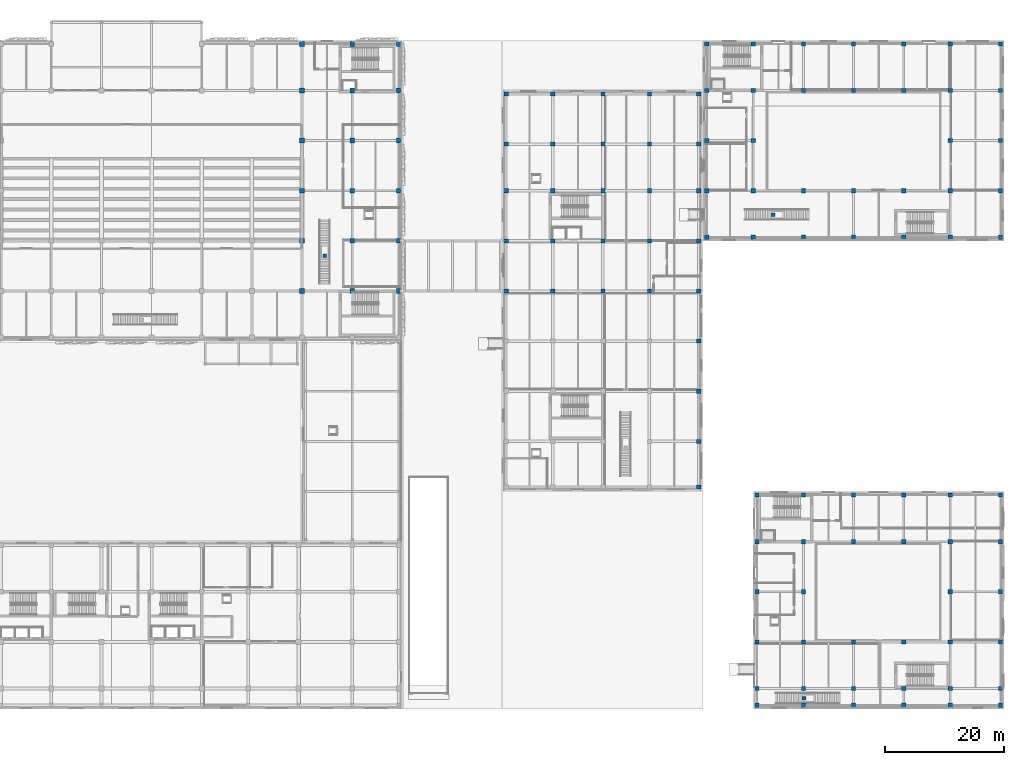
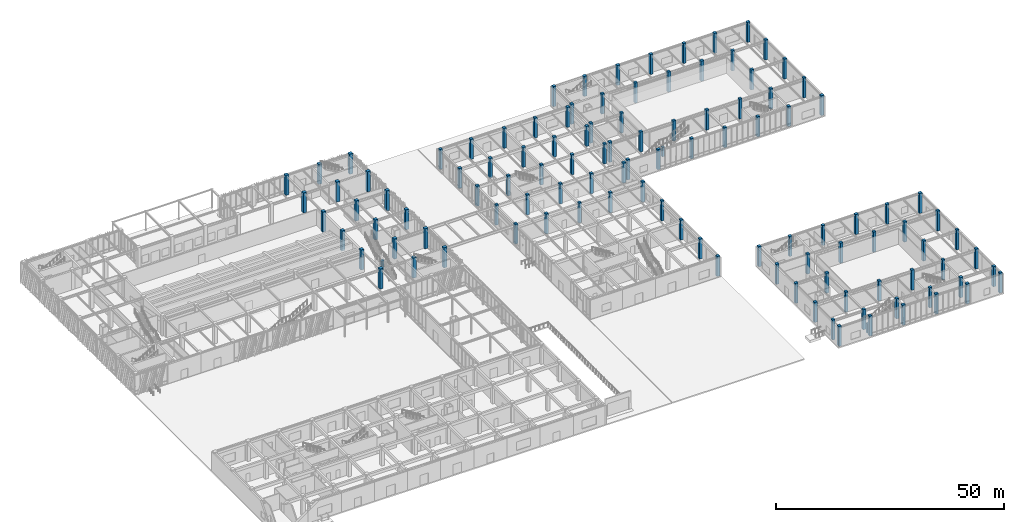
# One storey, part 7 of 122: 116 columns.
"""IFC4 building model written with IfcOpenShell, lengths in metres."""

from ifc_helpers import new_model, si_unit, direction, frame, origin, origin_2d, place, context, subcontext, project, spatial, rectangle, extrude, material, material_profile, profile_set, type_object, element, save


model = new_model("IFC4")

# Units and contexts
model_context = context("Model", 3, precision=1e-05, world=origin(), true_north=direction((0.0, 1.0)))
body_context = subcontext(model_context, "Body", "Model", "MODEL_VIEW")
ifc_project = project(units=[si_unit("LENGTHUNIT", "METRE"), si_unit("AREAUNIT", "SQUARE_METRE"), si_unit("VOLUMEUNIT", "CUBIC_METRE"), si_unit("PLANEANGLEUNIT", "RADIAN"), si_unit("MASSUNIT", "GRAM", prefix="KILO")], contexts=[model_context])

# Site, building, storey
site_placement = place(None, origin())
site = spatial("IfcSite", under=ifc_project, at=site_placement, CompositionType="ELEMENT")
building_placement = place(site_placement, origin())
building = spatial("IfcBuilding", under=site, at=building_placement, Name="Zayran Congress Hotel", CompositionType="ELEMENT")
storey_placement = place(building_placement, origin())
storey = spatial("IfcBuildingStorey", under=building, at=storey_placement, Name="L00", CompositionType="ELEMENT", Elevation=0.0)

# Columns
ifc_material = material(Name="Concrete C40/50", Category="concrete")
ifc_material_profile_1 = material_profile(ifc_material, rectangle(XDim=0.800048828125, YDim=0.800048828125, at=origin_2d()), Name="RC 800x800")
ifc_profile_set_1 = profile_set([ifc_material_profile_1], Name="Concrete C40/50")
column_type_1 = type_object("IfcColumnType", Name="TP-CL-02", PredefinedType="COLUMN", material=ifc_profile_set_1)
for number, where, z_axis, x_axis, name in (
    (1, (75.60009765625, 76.0, 0.0), (0.0, 0.0, 1.0), (1.0, 0.0, 0.0), "COL-V1-L00-0300"),
    (2, (75.60009765625, 84.39990234375, 0.0), (0.0, 0.0, 1.0), (1.0, 0.0, 0.0), "COL-V1-L00-0301"),
    (3, (75.60009765625, 92.800048828125, 0.0), (0.0, 0.0, 1.0), (1.0, 0.0, 0.0), "COL-V1-L00-0302"),
    (4, (75.60009765625, 101.199951171875, 0.0), (0.0, 0.0, 1.0), (1.0, 0.0, 0.0), "COL-V1-L00-0303"),
    (5, (75.60009765625, 109.60009765625, 0.0), (0.0, 0.0, 1.0), (1.0, 0.0, 0.0), "COL-V1-L00-0304"),
    (6, (75.60009765625, 117.39990234375, 0.0), (0.0, 0.0, 1.0), (1.0, 0.0, 0.0), "COL-V1-L00-0305"),
    (7, (84.0, 76.0, 0.0), (0.0, 0.0, 1.0), (1.0, 0.0, 0.0), "COL-V1-L00-0307"),
    (8, (84.0, 84.39990234375, 0.0), (0.0, 0.0, 1.0), (1.0, 0.0, 0.0), "COL-V1-L00-0308"),
    (9, (84.0, 92.800048828125, 0.0), (0.0, 0.0, 1.0), (1.0, 0.0, 0.0), "COL-V1-L00-0309"),
    (10, (84.0, 101.199951171875, 0.0), (0.0, 0.0, 1.0), (1.0, 0.0, 0.0), "COL-V1-L00-0310"),
    (11, (84.0, 109.60009765625, 0.0), (0.0, 0.0, 1.0), (1.0, 0.0, 0.0), "COL-V1-L00-0311"),
    (12, (84.0, 117.39990234375, 0.0), (0.0, 0.0, 1.0), (1.0, 0.0, 0.0), "COL-V1-L00-0312"),
    (13, (91.800048828125, 76.0, 0.0), (0.0, 0.0, 1.0), (1.0, 0.0, 0.0), "COL-V1-L00-0314"),
    (14, (91.800048828125, 84.39990234375, 0.0), (0.0, 0.0, 1.0), (1.0, 0.0, 0.0), "COL-V1-L00-0315"),
    (15, (91.800048828125, 92.800048828125, 0.0), (0.0, 0.0, 1.0), (1.0, 0.0, 0.0), "COL-V1-L00-0316"),
    (16, (91.800048828125, 101.199951171875, 0.0), (0.0, 0.0, 1.0), (1.0, 0.0, 0.0), "COL-V1-L00-0317"),
    (17, (91.800048828125, 109.60009765625, 0.0), (0.0, 0.0, 1.0), (1.0, 0.0, 0.0), "COL-V1-L00-0318"),
    (18, (91.800048828125, 117.39990234375, 0.0), (0.0, 0.0, 1.0), (1.0, 0.0, 0.0), "COL-V1-L00-0319"),
):
    element("IfcColumn", number, at=place(storey_placement, frame(where, z_axis=z_axis, x_axis=x_axis)), inside=storey, type_object=column_type_1, Name=name, PredefinedType="COLUMN", context=body_context, shape_type="SweptSolid", body=[
        extrude(rectangle(XDim=0.800048828125, YDim=0.800048828125, at=origin_2d()), origin(), (0.0, 0.0, 1.0), 5.39990234375),
    ])
ifc_material_profile_2 = material_profile(ifc_material, rectangle(XDim=0.699951171875, YDim=0.699951171875, at=origin_2d()), Name="RC 700x700")
ifc_profile_set_2 = profile_set([ifc_material_profile_2], Name="Concrete C40/50")
column_type_2 = type_object("IfcColumnType", Name="TP-CL-03", PredefinedType="COLUMN", material=ifc_profile_set_2)
for number, where, z_axis, x_axis, name in (
    (19, (143.39990234375, 85.0, 0.0), (0.0, 0.0, 1.0), (1.0, 0.0, 0.0), "COL-V2-L00-0521"),
    (20, (143.39990234375, 92.800048828125, 0.0), (0.0, 0.0, 1.0), (1.0, 0.0, 0.0), "COL-V2-L00-0522"),
    (21, (143.39990234375, 101.199951171875, 0.0), (0.0, 0.0, 1.0), (1.0, 0.0, 0.0), "COL-V2-L00-0523"),
    (22, (143.39990234375, 109.60009765625, 0.0), (0.0, 0.0, 1.0), (1.0, 0.0, 0.0), "COL-V2-L00-0524"),
    (23, (143.39990234375, 117.39990234375, 0.0), (0.0, 0.0, 1.0), (1.0, 0.0, 0.0), "COL-V2-L00-0525"),
    (24, (151.199951171875, 85.0, 0.0), (0.0, 0.0, 1.0), (1.0, 0.0, 0.0), "COL-V2-L00-0526"),
    (25, (151.199951171875, 92.800048828125, 0.0), (0.0, 0.0, 1.0), (1.0, 0.0, 0.0), "COL-V2-L00-0527"),
    (26, (151.199951171875, 101.199951171875, 0.0), (0.0, 0.0, 1.0), (1.0, 0.0, 0.0), "COL-V2-L00-0528"),
    (27, (151.199951171875, 109.60009765625, 0.0), (0.0, 0.0, 1.0), (1.0, 0.0, 0.0), "COL-V2-L00-0529"),
    (28, (151.199951171875, 117.39990234375, 0.0), (0.0, 0.0, 1.0), (1.0, 0.0, 0.0), "COL-V2-L00-0530"),
    (29, (159.60009765625, 85.0, 0.0), (0.0, 0.0, 1.0), (1.0, 0.0, 0.0), "COL-V2-L00-0531"),
    (30, (159.60009765625, 92.800048828125, 0.0), (0.0, 0.0, 1.0), (1.0, 0.0, 0.0), "COL-V2-L00-0532"),
    (31, (159.60009765625, 109.60009765625, 0.0), (0.0, 0.0, 1.0), (1.0, 0.0, 0.0), "COL-V2-L00-0533"),
    (32, (159.60009765625, 117.39990234375, 0.0), (0.0, 0.0, 1.0), (1.0, 0.0, 0.0), "COL-V2-L00-0534"),
    (33, (168.0, 85.0, 0.0), (0.0, 0.0, 1.0), (1.0, 0.0, 0.0), "COL-V2-L00-0535"),
    (34, (168.0, 92.800048828125, 0.0), (0.0, 0.0, 1.0), (1.0, 0.0, 0.0), "COL-V2-L00-0536"),
    (35, (168.0, 109.60009765625, 0.0), (0.0, 0.0, 1.0), (1.0, 0.0, 0.0), "COL-V2-L00-0537"),
    (36, (168.0, 117.39990234375, 0.0), (0.0, 0.0, 1.0), (1.0, 0.0, 0.0), "COL-V2-L00-0538"),
    (37, (176.39990234375, 85.0, 0.0), (0.0, 0.0, 1.0), (1.0, 0.0, 0.0), "COL-V2-L00-0539"),
    (38, (176.39990234375, 92.800048828125, 0.0), (0.0, 0.0, 1.0), (1.0, 0.0, 0.0), "COL-V2-L00-0540"),
    (39, (176.39990234375, 109.60009765625, 0.0), (0.0, 0.0, 1.0), (1.0, 0.0, 0.0), "COL-V2-L00-0541"),
    (40, (176.39990234375, 117.39990234375, 0.0), (0.0, 0.0, 1.0), (1.0, 0.0, 0.0), "COL-V2-L00-0542"),
    (41, (184.199951171875, 85.0, 0.0), (0.0, 0.0, 1.0), (1.0, 0.0, 0.0), "COL-V2-L00-0543"),
    (42, (184.199951171875, 92.800048828125, 0.0), (0.0, 0.0, 1.0), (1.0, 0.0, 0.0), "COL-V2-L00-0544"),
    (43, (184.199951171875, 101.199951171875, 0.0), (0.0, 0.0, 1.0), (1.0, 0.0, 0.0), "COL-V2-L00-0545"),
    (44, (184.199951171875, 109.60009765625, 0.0), (0.0, 0.0, 1.0), (1.0, 0.0, 0.0), "COL-V2-L00-0546"),
    (45, (184.199951171875, 117.39990234375, 0.0), (0.0, 0.0, 1.0), (1.0, 0.0, 0.0), "COL-V2-L00-0547"),
    (46, (192.60009765625, 85.0, 0.0), (0.0, 0.0, 1.0), (1.0, 0.0, 0.0), "COL-V2-L00-0548"),
    (47, (192.60009765625, 92.800048828125, 0.0), (0.0, 0.0, 1.0), (1.0, 0.0, 0.0), "COL-V2-L00-0549"),
    (48, (192.60009765625, 101.199951171875, 0.0), (0.0, 0.0, 1.0), (1.0, 0.0, 0.0), "COL-V2-L00-0550"),
    (49, (192.60009765625, 109.60009765625, 0.0), (0.0, 0.0, 1.0), (1.0, 0.0, 0.0), "COL-V2-L00-0551"),
    (50, (192.60009765625, 117.39990234375, 0.0), (0.0, 0.0, 1.0), (1.0, 0.0, 0.0), "COL-V2-L00-0552"),
    (51, (151.800048828125, 6.60009765625, 0.0), (0.0, 0.0, 1.0), (1.0, 0.0, 0.0), "COL-V3-L00-0612"),
    (52, (151.800048828125, 9.39990234375, 0.0), (0.0, 0.0, 1.0), (1.0, 0.0, 0.0), "COL-V3-L00-0613"),
    (53, (151.800048828125, 17.199951171875, 0.0), (0.0, 0.0, 1.0), (1.0, 0.0, 0.0), "COL-V3-L00-0614"),
    (54, (151.800048828125, 25.60009765625, 0.0), (0.0, 0.0, 1.0), (1.0, 0.0, 0.0), "COL-V3-L00-0615"),
    (55, (151.800048828125, 34.0, 0.0), (0.0, 0.0, 1.0), (1.0, 0.0, 0.0), "COL-V3-L00-0616"),
    (56, (151.800048828125, 41.800048828125, 0.0), (0.0, 0.0, 1.0), (1.0, 0.0, 0.0), "COL-V3-L00-0617"),
    (57, (159.60009765625, 6.60009765625, 0.0), (0.0, 0.0, 1.0), (1.0, 0.0, 0.0), "COL-V3-L00-0618"),
    (58, (159.60009765625, 9.39990234375, 0.0), (0.0, 0.0, 1.0), (1.0, 0.0, 0.0), "COL-V3-L00-0619"),
    (59, (159.60009765625, 17.199951171875, 0.0), (0.0, 0.0, 1.0), (1.0, 0.0, 0.0), "COL-V3-L00-0620"),
    (60, (159.60009765625, 25.60009765625, 0.0), (0.0, 0.0, 1.0), (1.0, 0.0, 0.0), "COL-V3-L00-0621"),
    (61, (159.60009765625, 34.0, 0.0), (0.0, 0.0, 1.0), (1.0, 0.0, 0.0), "COL-V3-L00-0622"),
    (62, (159.60009765625, 41.800048828125, 0.0), (0.0, 0.0, 1.0), (1.0, 0.0, 0.0), "COL-V3-L00-0623"),
    (63, (168.0, 6.60009765625, 0.0), (0.0, 0.0, 1.0), (1.0, 0.0, 0.0), "COL-V3-L00-0624"),
    (64, (168.0, 9.39990234375, 0.0), (0.0, 0.0, 1.0), (1.0, 0.0, 0.0), "COL-V3-L00-0625"),
    (65, (168.0, 17.199951171875, 0.0), (0.0, 0.0, 1.0), (1.0, 0.0, 0.0), "COL-V3-L00-0626"),
    (66, (168.0, 34.0, 0.0), (0.0, 0.0, 1.0), (1.0, 0.0, 0.0), "COL-V3-L00-0627"),
    (67, (168.0, 41.800048828125, 0.0), (0.0, 0.0, 1.0), (1.0, 0.0, 0.0), "COL-V3-L00-0628"),
    (68, (176.39990234375, 6.60009765625, 0.0), (0.0, 0.0, 1.0), (1.0, 0.0, 0.0), "COL-V3-L00-0629"),
    (69, (176.39990234375, 9.39990234375, 0.0), (0.0, 0.0, 1.0), (1.0, 0.0, 0.0), "COL-V3-L00-0630"),
    (70, (176.39990234375, 17.199951171875, 0.0), (0.0, 0.0, 1.0), (1.0, 0.0, 0.0), "COL-V3-L00-0631"),
    (71, (176.39990234375, 34.0, 0.0), (0.0, 0.0, 1.0), (1.0, 0.0, 0.0), "COL-V3-L00-0632"),
    (72, (176.39990234375, 41.800048828125, 0.0), (0.0, 0.0, 1.0), (1.0, 0.0, 0.0), "COL-V3-L00-0633"),
    (73, (184.199951171875, 6.60009765625, 0.0), (0.0, 0.0, 1.0), (1.0, 0.0, 0.0), "COL-V3-L00-0634"),
    (74, (184.199951171875, 9.39990234375, 0.0), (0.0, 0.0, 1.0), (1.0, 0.0, 0.0), "COL-V3-L00-0635"),
    (75, (184.199951171875, 17.199951171875, 0.0), (0.0, 0.0, 1.0), (1.0, 0.0, 0.0), "COL-V3-L00-0636"),
    (76, (184.199951171875, 25.60009765625, 0.0), (0.0, 0.0, 1.0), (1.0, 0.0, 0.0), "COL-V3-L00-0637"),
    (77, (184.199951171875, 34.0, 0.0), (0.0, 0.0, 1.0), (1.0, 0.0, 0.0), "COL-V3-L00-0638"),
    (78, (184.199951171875, 41.800048828125, 0.0), (0.0, 0.0, 1.0), (1.0, 0.0, 0.0), "COL-V3-L00-0639"),
    (79, (192.60009765625, 6.60009765625, 0.0), (0.0, 0.0, 1.0), (1.0, 0.0, 0.0), "COL-V3-L00-0640"),
    (80, (192.60009765625, 9.39990234375, 0.0), (0.0, 0.0, 1.0), (1.0, 0.0, 0.0), "COL-V3-L00-0641"),
    (81, (192.60009765625, 17.199951171875, 0.0), (0.0, 0.0, 1.0), (1.0, 0.0, 0.0), "COL-V3-L00-0642"),
    (82, (192.60009765625, 25.60009765625, 0.0), (0.0, 0.0, 1.0), (1.0, 0.0, 0.0), "COL-V3-L00-0643"),
    (83, (192.60009765625, 34.0, 0.0), (0.0, 0.0, 1.0), (1.0, 0.0, 0.0), "COL-V3-L00-0644"),
    (84, (192.60009765625, 41.800048828125, 0.0), (0.0, 0.0, 1.0), (1.0, 0.0, 0.0), "COL-V3-L00-0645"),
    (85, (109.800048828125, 76.0, 0.0), (0.0, 0.0, 1.0), (1.0, 0.0, 0.0), "COL-V4-L00-0707"),
    (86, (109.800048828125, 84.39990234375, 0.0), (0.0, 0.0, 1.0), (1.0, 0.0, 0.0), "COL-V4-L00-0708"),
    (87, (109.800048828125, 92.800048828125, 0.0), (0.0, 0.0, 1.0), (1.0, 0.0, 0.0), "COL-V4-L00-0709"),
    (88, (109.800048828125, 100.60009765625, 0.0), (0.0, 0.0, 1.0), (1.0, 0.0, 0.0), "COL-V4-L00-0710"),
    (89, (109.800048828125, 109.0, 0.0), (0.0, 0.0, 1.0), (1.0, 0.0, 0.0), "COL-V4-L00-0711"),
    (90, (117.60009765625, 76.0, 0.0), (0.0, 0.0, 1.0), (1.0, 0.0, 0.0), "COL-V4-L00-0716"),
    (91, (117.60009765625, 84.39990234375, 0.0), (0.0, 0.0, 1.0), (1.0, 0.0, 0.0), "COL-V4-L00-0717"),
    (92, (117.60009765625, 92.800048828125, 0.0), (0.0, 0.0, 1.0), (1.0, 0.0, 0.0), "COL-V4-L00-0718"),
    (93, (117.60009765625, 100.60009765625, 0.0), (0.0, 0.0, 1.0), (1.0, 0.0, 0.0), "COL-V4-L00-0719"),
    (94, (117.60009765625, 109.0, 0.0), (0.0, 0.0, 1.0), (1.0, 0.0, 0.0), "COL-V4-L00-0720"),
    (95, (126.0, 76.0, 0.0), (0.0, 0.0, 1.0), (1.0, 0.0, 0.0), "COL-V4-L00-0725"),
    (96, (126.0, 84.39990234375, 0.0), (0.0, 0.0, 1.0), (1.0, 0.0, 0.0), "COL-V4-L00-0726"),
    (97, (126.0, 92.800048828125, 0.0), (0.0, 0.0, 1.0), (1.0, 0.0, 0.0), "COL-V4-L00-0727"),
    (98, (126.0, 100.60009765625, 0.0), (0.0, 0.0, 1.0), (1.0, 0.0, 0.0), "COL-V4-L00-0728"),
    (99, (126.0, 109.0, 0.0), (0.0, 0.0, 1.0), (1.0, 0.0, 0.0), "COL-V4-L00-0729"),
    (100, (133.800048828125, 76.0, 0.0), (0.0, 0.0, 1.0), (1.0, 0.0, 0.0), "COL-V4-L00-0734"),
    (101, (133.800048828125, 84.39990234375, 0.0), (0.0, 0.0, 1.0), (1.0, 0.0, 0.0), "COL-V4-L00-0735"),
    (102, (133.800048828125, 92.800048828125, 0.0), (0.0, 0.0, 1.0), (1.0, 0.0, 0.0), "COL-V4-L00-0736"),
    (103, (133.800048828125, 100.60009765625, 0.0), (0.0, 0.0, 1.0), (1.0, 0.0, 0.0), "COL-V4-L00-0737"),
    (104, (133.800048828125, 109.0, 0.0), (0.0, 0.0, 1.0), (1.0, 0.0, 0.0), "COL-V4-L00-0738"),
    (105, (142.050048828125, 43.14990234375, 0.0), (0.0, 0.0, 1.0), (1.0, 0.0, 0.0), "COL-V4-L00-0739"),
    (106, (142.050048828125, 50.800048828125, 0.0), (0.0, 0.0, 1.0), (1.0, 0.0, 0.0), "COL-V4-L00-0740"),
    (107, (142.050048828125, 59.199951171875, 0.0), (0.0, 0.0, 1.0), (1.0, 0.0, 0.0), "COL-V4-L00-0741"),
    (108, (142.050048828125, 67.60009765625, 0.0), (0.0, 0.0, 1.0), (1.0, 0.0, 0.0), "COL-V4-L00-0742"),
    (109, (142.050048828125, 76.0, 0.0), (0.0, 0.0, 1.0), (1.0, 0.0, 0.0), "COL-V4-L00-0743"),
    (110, (142.050048828125, 84.39990234375, 0.0), (0.0, 0.0, 1.0), (1.0, 0.0, 0.0), "COL-V4-L00-0744"),
    (111, (142.050048828125, 92.800048828125, 0.0), (0.0, 0.0, 1.0), (1.0, 0.0, 0.0), "COL-V4-L00-0745"),
    (112, (142.050048828125, 100.60009765625, 0.0), (0.0, 0.0, 1.0), (1.0, 0.0, 0.0), "COL-V4-L00-0746"),
    (113, (142.050048828125, 109.0, 0.0), (0.0, 0.0, 1.0), (1.0, 0.0, 0.0), "COL-V4-L00-0747"),
):
    element("IfcColumn", number, at=place(storey_placement, frame(where, z_axis=z_axis, x_axis=x_axis)), inside=storey, type_object=column_type_2, Name=name, PredefinedType="COLUMN", context=body_context, shape_type="SweptSolid", body=[
        extrude(rectangle(XDim=0.699951171875, YDim=0.699951171875, at=origin_2d()), origin(), (0.0, 0.0, 1.0), 5.39990234375),
    ])
ifc_material_profile_3 = material_profile(ifc_material, rectangle(XDim=0.60009765625, YDim=0.60009765625, at=origin_2d()), Name="RC 600x600")
ifc_profile_set_3 = profile_set([ifc_material_profile_3], Name="Concrete C40/50")
column_type_3 = type_object("IfcColumnType", Name="TP-CL-04", PredefinedType="COLUMN", material=ifc_profile_set_3)
for number, where, z_axis, x_axis, name in (
    (114, (79.39990234375, 81.89990234375, 0.0), (0.0, 0.0, 1.0), (1.0, 0.0, 0.0), "COL-VOM-L00-02"),
    (115, (154.5, 88.800048828125, 0.0), (0.0, 0.0, 1.0), (1.0, 0.0, 0.0), "COL-VOM-L00-04"),
    (116, (159.699951171875, 7.800048828125, 0.0), (0.0, 0.0, 1.0), (1.0, 0.0, 0.0), "COL-VOM-L00-05"),
):
    element("IfcColumn", number, at=place(storey_placement, frame(where, z_axis=z_axis, x_axis=x_axis)), inside=storey, type_object=column_type_3, Name=name, PredefinedType="COLUMN", context=body_context, shape_type="SweptSolid", body=[
        extrude(rectangle(XDim=0.60009765625, YDim=0.60009765625, at=origin_2d()), origin(), (0.0, 0.0, 1.0), 2.5),
    ])

save(model, "model.ifc")
